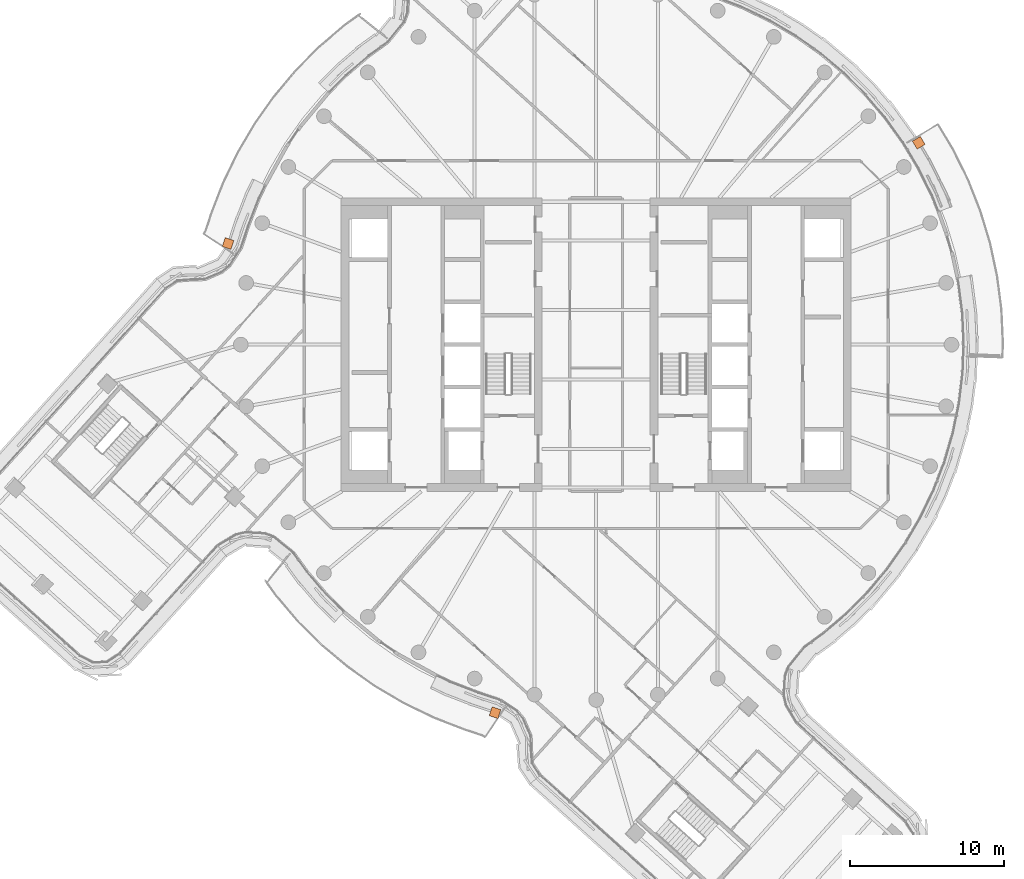
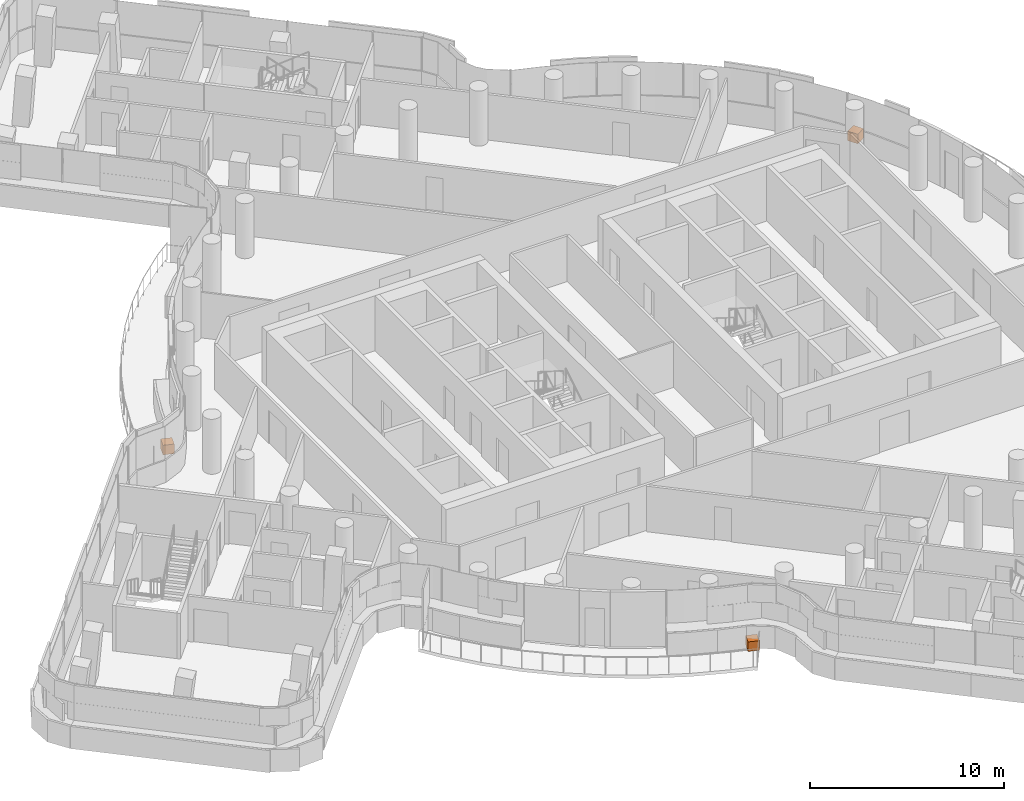
# One storey, part 31 of 31: 3 proxies.
"""IFC4 building model written with IfcOpenShell, lengths in metres."""

import ifcopenshell
import ifcopenshell.guid

model = None  # the IFC model being written
_history = None  # IfcOwnerHistory: only IFC2X3 demands one
_inside = {}  # id of a spatial element -> (the spatial element, [elements in it])
_under = {}  # id of a project, library or spatial element -> (it, [spatial elements below it])
_declared = {}  # id of a project -> (the project, [libraries it declares])
_typed = {}  # id of a type object -> (the type object, [elements of that type])
_made_of = {}  # id of a material, layer set ... -> (it, [elements and type objects made of it])


def new_model(schema):
    """Start an empty IFC model of exactly this schema.

    Asked for "IFC4X3", IfcOpenShell would pick the latest addendum, in which some entities
    have other attributes; the version numbers below select the first issue.
    IFC2X3 requires an IfcOwnerHistory on every rooted entity: one is made here for all.
    """
    global model, _history
    if schema == "IFC4X3":
        model = ifcopenshell.file(schema_version=(4, 3, 0, 0))
    else:
        model = ifcopenshell.file(schema=schema)
    _inside.clear()
    _under.clear()
    _declared.clear()
    _typed.clear()
    _made_of.clear()
    _history = None
    if model.schema == "IFC2X3":
        org = make("IfcOrganization", Name="unknown")
        user = make(
            "IfcPersonAndOrganization",
            ThePerson=make("IfcPerson", FamilyName="unknown"),
            TheOrganization=org,
        )
        app = make(
            "IfcApplication",
            ApplicationDeveloper=org,
            Version="unknown",
            ApplicationFullName="unknown",
            ApplicationIdentifier="unknown",
        )
        _history = make(
            "IfcOwnerHistory",
            OwningUser=user,
            OwningApplication=app,
            ChangeAction="ADDED",
            CreationDate=0,
        )
    return model


def make(cls, **values):
    """One entity of the class cls with the attributes given. An attribute that is None is left unset."""
    return model.create_entity(
        cls, **{name: value for name, value in values.items() if value is not None}
    )


def rooted(cls, **values):
    """An entity with a GlobalId (a new one), such as an element, a storey or a relation."""
    return make(cls, GlobalId=ifcopenshell.guid.new(), OwnerHistory=_history, **values)


def si_unit(unit_type, name, prefix=None):
    """IfcSIUnit, for example si_unit("LENGTHUNIT", "METRE", prefix="MILLI")."""
    return make("IfcSIUnit", UnitType=unit_type, Prefix=prefix, Name=name)


def assignment(units):
    """IfcUnitAssignment: the units of a project."""
    return None if units is None else make("IfcUnitAssignment", Units=units)


def point(xyz):
    """IfcCartesianPoint."""
    return None if xyz is None else make("IfcCartesianPoint", Coordinates=xyz)


def direction(xyz):
    """IfcDirection."""
    return None if xyz is None else make("IfcDirection", DirectionRatios=xyz)


def frame(location, z_axis=None, x_axis=None):
    """IfcAxis2Placement3D, a coordinate frame: its origin and axes. An axis left out is left unset."""
    return make(
        "IfcAxis2Placement3D",
        Location=point(location),
        Axis=direction(z_axis),
        RefDirection=direction(x_axis),
    )


def frame_2d(location, x_axis=None):
    """IfcAxis2Placement2D, a coordinate frame in the plane: its origin and x axis."""
    return make(
        "IfcAxis2Placement2D", Location=point(location), RefDirection=direction(x_axis)
    )


def origin():
    """The frame at (0, 0, 0) with its axes left unset."""
    return frame((0.0, 0.0, 0.0))


def origin_2d():
    """The frame at (0, 0) in the plane with its x axis left unset."""
    return frame_2d((0.0, 0.0))


def place(relative_to, where):
    """IfcLocalPlacement: puts the frame where relative to a parent placement (None: the world)."""
    return make(
        "IfcLocalPlacement", PlacementRelTo=relative_to, RelativePlacement=where
    )


def context(
    kind, dimensions, precision=None, world=None, true_north=None, identifier=None
):
    """IfcGeometricRepresentationContext, for example the 3D "Model" context."""
    return make(
        "IfcGeometricRepresentationContext",
        ContextIdentifier=identifier,
        ContextType=kind,
        CoordinateSpaceDimension=dimensions,
        Precision=precision,
        WorldCoordinateSystem=world,
        TrueNorth=true_north,
    )


def subcontext(parent, identifier, kind, view, scale=None):
    """IfcGeometricRepresentationSubContext, for example "Body" below "Model"."""
    return make(
        "IfcGeometricRepresentationSubContext",
        ContextIdentifier=identifier,
        ContextType=kind,
        ParentContext=parent,
        TargetScale=scale,
        TargetView=view,
    )


def project(units=None, contexts=None):
    """IfcProject with its units and contexts."""
    return rooted(
        "IfcProject",
        Name="project",
        RepresentationContexts=contexts,
        UnitsInContext=assignment(units),
    )


def spatial(cls, under=None, at=None, **own):
    """A site, building, storey or space (cls), placed at a placement, below another one or the project."""
    s = rooted(cls, ObjectPlacement=at, **own)
    if under is not None:
        _under.setdefault(under.id(), (under, []))[1].append(s)
    return s


def profile(cls, at=None, kind="AREA", **sizes):
    """A parametric profile (cls). Its sizes go by their IFC names, for example OverallWidth=200.0."""
    return make(cls, ProfileType=kind, Position=at, **sizes)


def rectangle(**sizes):
    """IfcRectangleProfileDef."""
    return profile("IfcRectangleProfileDef", **sizes)


def extrude(swept, where, along, depth):
    """IfcExtrudedAreaSolid: the profile swept, set in the frame where, extruded along a direction by depth."""
    return make(
        "IfcExtrudedAreaSolid",
        SweptArea=swept,
        Position=where,
        ExtrudedDirection=direction(along),
        Depth=depth,
    )


def shape(context_of_items, identifier, shape_type, items):
    """IfcShapeRepresentation: the items that make up one representation, for example the "Body"."""
    return make(
        "IfcShapeRepresentation",
        ContextOfItems=context_of_items,
        RepresentationIdentifier=identifier,
        RepresentationType=shape_type,
        Items=items,
    )


def material(Name=None, Category=None):
    """IfcMaterial."""
    return make("IfcMaterial", Name=Name, Category=Category)


def made_of(thing, what):
    """Note that an element or type object is made of a material, layer set ...; save() writes the relation."""
    if what is not None:
        _made_of.setdefault(what.id(), (what, []))[1].append(thing)
    return thing


def type_object(cls, material=None, **own):
    """A type object (cls), such as IfcWallType, which elements share."""
    return made_of(rooted(cls, **own), material)


def element(
    cls,
    number,
    at=None,
    inside=None,
    cuts=None,
    type_object=None,
    material=None,
    context=None,
    identifier="Body",
    shape_type=None,
    held_by="IfcProductDefinitionShape",
    body=None,
    shapes=None,
    **own,
):
    """One element of the class cls, such as IfcWall. Its Tag is "e" and its number.

    at: its placement. inside: the storey or other place that contains it. cuts: it is an
    opening in that element (IfcRelVoidsElement). A single representation is given by context,
    identifier, shape_type and body (its items); several are given by shapes. held_by: the class
    of the entity that holds the representations. save() writes the other relations.
    """
    e = rooted(cls, Tag="e%d" % number, ObjectPlacement=at, **own)
    if body is not None:
        shapes = [shape(context, identifier, shape_type, body)]
    if shapes is not None:
        e.Representation = make(held_by, Representations=shapes)
    if inside is not None:
        _inside.setdefault(inside.id(), (inside, []))[1].append(e)
    if cuts is not None:
        rooted(
            "IfcRelVoidsElement", RelatingBuildingElement=cuts, RelatedOpeningElement=e
        )
    if type_object is not None:
        _typed.setdefault(type_object.id(), (type_object, []))[1].append(e)
    return made_of(e, material)


def aggregate(whole, parts):
    """IfcRelAggregates: a whole, such as a stair, and the parts it consists of."""
    return rooted("IfcRelAggregates", RelatingObject=whole, RelatedObjects=parts)


def save(model, path):
    """Write the relations noted so far, then the file.

    IfcRelAggregates (storeys below a building ...), IfcRelContainedInSpatialStructure (elements
    in a storey), IfcRelDefinesByType, IfcRelAssociatesMaterial and IfcRelDeclares: one each for
    every whole, place, type object, material and project.
    """
    for whole, parts in _under.values():
        aggregate(whole, parts)
    for where, things in _inside.values():
        rooted(
            "IfcRelContainedInSpatialStructure",
            RelatedElements=things,
            RelatingStructure=where,
        )
    for kind, things in _typed.values():
        rooted("IfcRelDefinesByType", RelatedObjects=things, RelatingType=kind)
    for what, things in _made_of.values():
        rooted("IfcRelAssociatesMaterial", RelatedObjects=things, RelatingMaterial=what)
    for by, libraries in _declared.values():
        rooted("IfcRelDeclares", RelatingContext=by, RelatedDefinitions=libraries)
    model.write(path)


model = new_model("IFC4")

# Units and contexts
model_context = context("Model", 3, precision=1e-05, world=origin(), true_north=direction((0.0, 1.0)))
body_context = subcontext(model_context, "Body", "Model", "MODEL_VIEW")
ifc_project = project(units=[si_unit("LENGTHUNIT", "METRE"), si_unit("AREAUNIT", "SQUARE_METRE"), si_unit("VOLUMEUNIT", "CUBIC_METRE"), si_unit("PLANEANGLEUNIT", "RADIAN"), si_unit("MASSUNIT", "GRAM", prefix="KILO")], contexts=[model_context])

# Site, building, storey
site_placement = place(None, origin())
site = spatial("IfcSite", under=ifc_project, at=site_placement, CompositionType="ELEMENT")
building_placement = place(site_placement, origin())
building = spatial("IfcBuilding", under=site, at=building_placement, Name="Tamarind Cross Interchange Tower", CompositionType="ELEMENT")
storey_placement = place(building_placement, frame((0.0, 0.0, 207.699951171875)))
storey = spatial("IfcBuildingStorey", under=building, at=storey_placement, Name="L52", CompositionType="ELEMENT", Elevation=207.699951171875)

# Proxies
ifc_material = material(Name="Concrete C30", Category="concrete")
building_element_proxy_type = type_object("IfcBuildingElementProxyType", Name="Planter", PredefinedType="USERDEFINED", material=ifc_material)
proxy_1_placement = place(storey_placement, origin())
element("IfcBuildingElementProxy", 1, at=proxy_1_placement, inside=storey, type_object=building_element_proxy_type, Name="PLT-L52-BAL02", ObjectType="Planter", PredefinedType="USERDEFINED", context=body_context, shape_type="SweptSolid", body=[
    extrude(rectangle(XDim=0.60009765625, YDim=0.60009765625, at=origin_2d()), frame((-6.544921875, -23.8232421875, 0.0), z_axis=(0.0, 0.0, 1.0), x_axis=(0.949687661057, -0.313198573491, 0.0)), (0.0, 0.0, 1.0), 0.60009765625),
])
proxy_2_placement = place(storey_placement, origin())
element("IfcBuildingElementProxy", 2, at=proxy_2_placement, inside=storey, type_object=building_element_proxy_type, Name="PLT-L52-BAL06", ObjectType="Planter", PredefinedType="USERDEFINED", context=body_context, shape_type="SweptSolid", body=[
    extrude(rectangle(XDim=0.60009765625, YDim=0.60009765625, at=origin_2d()), frame((20.87841796875, 13.064697265625, 0.0), z_axis=(0.0, 0.0, 1.0), x_axis=(-0.515577308909, 0.856843065292, 0.0)), (0.0, 0.0, 1.0), 0.60009765625),
])
proxy_3_placement = place(storey_placement, origin())
element("IfcBuildingElementProxy", 3, at=proxy_3_placement, inside=storey, type_object=building_element_proxy_type, Name="PLT-L52-BAL10", ObjectType="Planter", PredefinedType="USERDEFINED", context=body_context, shape_type="SweptSolid", body=[
    extrude(rectangle(XDim=0.60009765625, YDim=0.60009765625, at=origin_2d()), frame((-23.8232421875, 6.544921875, 0.0), z_axis=(0.0, 0.0, 1.0), x_axis=(-0.313198573491, -0.949687661057, 0.0)), (0.0, 0.0, 1.0), 0.60009765625),
])

save(model, "model.ifc")
